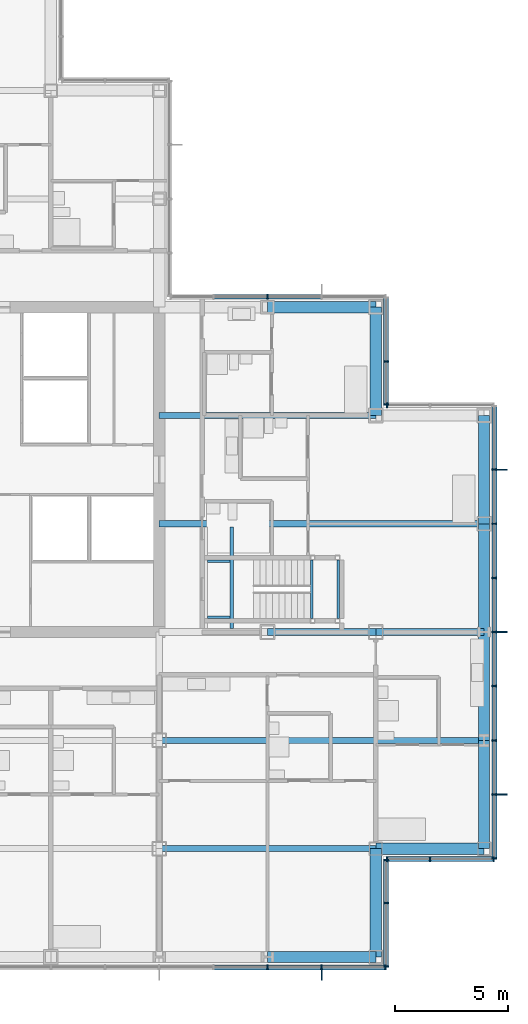
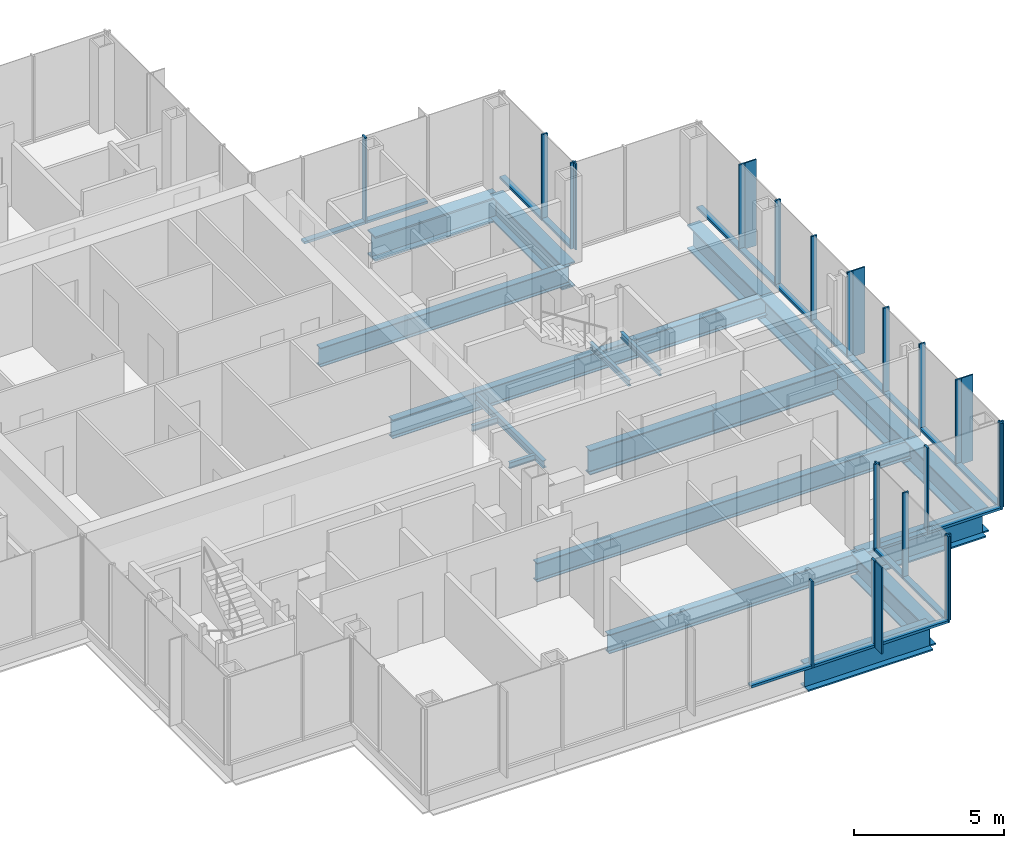
# One storey, part 8 of 20: 44 members, 20 beams, 7 elements without a shape of their own.
"""IFC4 building model written with IfcOpenShell, lengths in metres."""

from ifc_helpers import new_model, si_unit, direction, frame, origin, origin_2d, place, context, subcontext, project, spatial, rectangle, i_section, extrude, material, material_profile, profile_set, type_object, element, aggregate, save


model = new_model("IFC4")

# Units and contexts
model_context = context("Model", 3, precision=1e-05, world=origin(), true_north=direction((0.0, 1.0)))
body_context = subcontext(model_context, "Body", "Model", "MODEL_VIEW")
ifc_project = project(units=[si_unit("LENGTHUNIT", "METRE"), si_unit("AREAUNIT", "SQUARE_METRE"), si_unit("VOLUMEUNIT", "CUBIC_METRE"), si_unit("PLANEANGLEUNIT", "RADIAN"), si_unit("MASSUNIT", "GRAM", prefix="KILO")], contexts=[model_context])

# Site, building, storey
site_placement = place(None, origin())
site = spatial("IfcSite", under=ifc_project, at=site_placement, CompositionType="ELEMENT")
building_placement = place(site_placement, origin())
building = spatial("IfcBuilding", under=site, at=building_placement, Name="Kvirike Care Tower", CompositionType="ELEMENT")
storey_placement = place(building_placement, frame((0.0, 0.0, 101.5)))
storey = spatial("IfcBuildingStorey", under=building, at=storey_placement, Name="L27", CompositionType="ELEMENT", Elevation=101.5)

# Curtain wall, members
ifc_material_1 = material(Name="Anodised aluminium stick system", Category="aluminium")
curtain_wall_type = type_object("IfcCurtainWallType", Name="CW-B STICK CURTAIN WALL", PredefinedType="NOTDEFINED", material=ifc_material_1)
curtain_wall_1_placement = place(storey_placement, origin())
curtain_wall_1 = element("IfcCurtainWall", 1, at=curtain_wall_1_placement, inside=storey, type_object=curtain_wall_type, Name="Curtain wall L27 face 1", PredefinedType="NOTDEFINED")
ifc_material_2 = material(Name="Bronze anodised aluminium fin", Category="aluminium")
ifc_material_profile_1 = material_profile(ifc_material_2, rectangle(XDim=0.050048828125, YDim=0.449951171875, at=origin_2d()), Name="BRONZE FIN 450")
ifc_profile_set_1 = profile_set([ifc_material_profile_1], Name="Bronze anodised aluminium fin")
member_type_1 = type_object("IfcMemberType", Name="BRONZE FIN 450", PredefinedType="USERDEFINED", material=ifc_profile_set_1)
member_1_placement = place(storey_placement, frame((43.9951171875, 21.60009765625, 0.0), z_axis=(0.0, 0.0, 1.0), x_axis=(0.0, 1.0, 0.0)))
member_1 = element("IfcMember", 2, at=member_1_placement, type_object=member_type_1, Name="Bronze fin L27 face 1.2", ObjectType="FIN", PredefinedType="USERDEFINED", context=body_context, shape_type="SweptSolid", body=[
    extrude(rectangle(XDim=0.050048828125, YDim=0.449951171875, at=origin_2d()), origin(), (0.0, 0.0, 1.0), 3.5),
])
member_2_placement = place(storey_placement, frame((43.9951171875, 28.800048828125, 0.0), z_axis=(0.0, 0.0, 1.0), x_axis=(0.0, 1.0, 0.0)))
member_2 = element("IfcMember", 3, at=member_2_placement, type_object=member_type_1, Name="Bronze fin L27 face 1.5", ObjectType="FIN", PredefinedType="USERDEFINED", context=body_context, shape_type="SweptSolid", body=[
    extrude(rectangle(XDim=0.050048828125, YDim=0.449951171875, at=origin_2d()), origin(), (0.0, 0.0, 1.0), 3.5),
])
member_3_placement = place(storey_placement, frame((43.9951171875, 36.0, 0.0), z_axis=(0.0, 0.0, 1.0), x_axis=(0.0, 1.0, 0.0)))
member_3 = element("IfcMember", 4, at=member_3_placement, type_object=member_type_1, Name="Bronze fin L27 face 1.8", ObjectType="FIN", PredefinedType="USERDEFINED", context=body_context, shape_type="SweptSolid", body=[
    extrude(rectangle(XDim=0.050048828125, YDim=0.449951171875, at=origin_2d()), origin(), (0.0, 0.0, 1.0), 3.5),
])

# Curtain wall, member
curtain_wall_2_placement = place(storey_placement, origin())
curtain_wall_2 = element("IfcCurtainWall", 5, at=curtain_wall_2_placement, inside=storey, type_object=curtain_wall_type, Name="Curtain wall L27 face 18", PredefinedType="NOTDEFINED")
member_4_placement = place(storey_placement, frame((36.0, 13.60498046875, 0.0), z_axis=(0.0, 0.0, 1.0), x_axis=(1.0, 0.0, 0.0)))
member_4 = element("IfcMember", 6, at=member_4_placement, type_object=member_type_1, Name="Bronze fin L27 face 18.8", ObjectType="FIN", PredefinedType="USERDEFINED", context=body_context, shape_type="SweptSolid", body=[
    extrude(rectangle(XDim=0.050048828125, YDim=0.449951171875, at=origin_2d()), origin(), (0.0, 0.0, 1.0), 3.5),
])

# Member
ifc_material_3 = material(Name="Bronze anodised aluminium mullion", Category="aluminium")
ifc_material_profile_2 = material_profile(ifc_material_3, rectangle(XDim=0.06494140625, YDim=0.219970703125, at=origin_2d()), Name="CW-B MULLION 65x220")
ifc_profile_set_2 = profile_set([ifc_material_profile_2], Name="Bronze anodised aluminium mullion")
member_type_2 = type_object("IfcMemberType", Name="CW-B MULLION 65x220", PredefinedType="MULLION", material=ifc_profile_set_2)
member_5_placement = place(storey_placement, frame((43.659912109375, 18.7724609375, 0.0), z_axis=(0.0, 0.0, 1.0), x_axis=(0.0, 1.0, 0.0)))
member_5 = element("IfcMember", 7, at=member_5_placement, type_object=member_type_2, Name="CW-B mullion L27 face 1.1", PredefinedType="MULLION", context=body_context, shape_type="SweptSolid", body=[
    extrude(rectangle(XDim=0.06494140625, YDim=0.219970703125, at=origin_2d()), origin(), (0.0, 0.0, 1.0), 3.5),
])

member_6_placement = place(storey_placement, frame((43.659912109375, 21.60009765625, 0.0), z_axis=(0.0, 0.0, 1.0), x_axis=(0.0, 1.0, 0.0)))
member_6 = element("IfcMember", 8, at=member_6_placement, type_object=member_type_2, Name="CW-B mullion L27 face 1.2", PredefinedType="MULLION", context=body_context, shape_type="SweptSolid", body=[
    extrude(rectangle(XDim=0.06494140625, YDim=0.219970703125, at=origin_2d()), origin(), (0.0, 0.0, 1.0), 3.5),
])

member_7_placement = place(storey_placement, frame((43.659912109375, 24.0, 0.0), z_axis=(0.0, 0.0, 1.0), x_axis=(0.0, 1.0, 0.0)))
member_7 = element("IfcMember", 9, at=member_7_placement, type_object=member_type_2, Name="CW-B mullion L27 face 1.3", PredefinedType="MULLION", context=body_context, shape_type="SweptSolid", body=[
    extrude(rectangle(XDim=0.06494140625, YDim=0.219970703125, at=origin_2d()), origin(), (0.0, 0.0, 1.0), 3.5),
])

member_8_placement = place(storey_placement, frame((43.659912109375, 26.39990234375, 0.0), z_axis=(0.0, 0.0, 1.0), x_axis=(0.0, 1.0, 0.0)))
member_8 = element("IfcMember", 10, at=member_8_placement, type_object=member_type_2, Name="CW-B mullion L27 face 1.4", PredefinedType="MULLION", context=body_context, shape_type="SweptSolid", body=[
    extrude(rectangle(XDim=0.06494140625, YDim=0.219970703125, at=origin_2d()), origin(), (0.0, 0.0, 1.0), 3.5),
])

member_9_placement = place(storey_placement, frame((43.659912109375, 28.800048828125, 0.0), z_axis=(0.0, 0.0, 1.0), x_axis=(0.0, 1.0, 0.0)))
member_9 = element("IfcMember", 11, at=member_9_placement, type_object=member_type_2, Name="CW-B mullion L27 face 1.5", PredefinedType="MULLION", context=body_context, shape_type="SweptSolid", body=[
    extrude(rectangle(XDim=0.06494140625, YDim=0.219970703125, at=origin_2d()), origin(), (0.0, 0.0, 1.0), 3.5),
])

member_10_placement = place(storey_placement, frame((43.659912109375, 31.199951171875, 0.0), z_axis=(0.0, 0.0, 1.0), x_axis=(0.0, 1.0, 0.0)))
member_10 = element("IfcMember", 12, at=member_10_placement, type_object=member_type_2, Name="CW-B mullion L27 face 1.6", PredefinedType="MULLION", context=body_context, shape_type="SweptSolid", body=[
    extrude(rectangle(XDim=0.06494140625, YDim=0.219970703125, at=origin_2d()), origin(), (0.0, 0.0, 1.0), 3.5),
])

member_11_placement = place(storey_placement, frame((43.659912109375, 33.60009765625, 0.0), z_axis=(0.0, 0.0, 1.0), x_axis=(0.0, 1.0, 0.0)))
member_11 = element("IfcMember", 13, at=member_11_placement, type_object=member_type_2, Name="CW-B mullion L27 face 1.7", PredefinedType="MULLION", context=body_context, shape_type="SweptSolid", body=[
    extrude(rectangle(XDim=0.06494140625, YDim=0.219970703125, at=origin_2d()), origin(), (0.0, 0.0, 1.0), 3.5),
])

member_12_placement = place(storey_placement, frame((43.659912109375, 36.0, 0.0), z_axis=(0.0, 0.0, 1.0), x_axis=(0.0, 1.0, 0.0)))
member_12 = element("IfcMember", 14, at=member_12_placement, type_object=member_type_2, Name="CW-B mullion L27 face 1.8", PredefinedType="MULLION", context=body_context, shape_type="SweptSolid", body=[
    extrude(rectangle(XDim=0.06494140625, YDim=0.219970703125, at=origin_2d()), origin(), (0.0, 0.0, 1.0), 3.5),
])

# Curtain wall, member
curtain_wall_3_placement = place(storey_placement, origin())
curtain_wall_3 = element("IfcCurtainWall", 15, at=curtain_wall_3_placement, inside=storey, type_object=curtain_wall_type, Name="Curtain wall L27 face 2", PredefinedType="NOTDEFINED")
member_13_placement = place(storey_placement, frame((38.892578125, 38.860107421875, 0.0), z_axis=(0.0, 0.0, 1.0), x_axis=(-1.0, 0.0, 0.0)))
member_13 = element("IfcMember", 16, at=member_13_placement, type_object=member_type_2, Name="CW-B mullion L27 face 2.3", PredefinedType="MULLION", context=body_context, shape_type="SweptSolid", body=[
    extrude(rectangle(XDim=0.06494140625, YDim=0.219970703125, at=origin_2d()), origin(), (0.0, 0.0, 1.0), 3.5),
])
aggregate(curtain_wall_3, [member_13])

# Curtain wall, members
curtain_wall_4_placement = place(storey_placement, origin())
curtain_wall_4 = element("IfcCurtainWall", 17, at=curtain_wall_4_placement, inside=storey, type_object=curtain_wall_type, Name="Curtain wall L27 face 3", PredefinedType="NOTDEFINED")
member_14_placement = place(storey_placement, frame((38.860107421875, 38.892578125, 0.0), z_axis=(0.0, 0.0, 1.0), x_axis=(0.0, 1.0, 0.0)))
member_14 = element("IfcMember", 18, at=member_14_placement, type_object=member_type_2, Name="CW-B mullion L27 face 3.1", PredefinedType="MULLION", context=body_context, shape_type="SweptSolid", body=[
    extrude(rectangle(XDim=0.06494140625, YDim=0.219970703125, at=origin_2d()), origin(), (0.0, 0.0, 1.0), 3.5),
])
member_15_placement = place(storey_placement, frame((38.860107421875, 40.800048828125, 0.0), z_axis=(0.0, 0.0, 1.0), x_axis=(0.0, 1.0, 0.0)))
member_15 = element("IfcMember", 19, at=member_15_placement, type_object=member_type_2, Name="CW-B mullion L27 face 3.2", PredefinedType="MULLION", context=body_context, shape_type="SweptSolid", body=[
    extrude(rectangle(XDim=0.06494140625, YDim=0.219970703125, at=origin_2d()), origin(), (0.0, 0.0, 1.0), 3.5),
])

# Curtain wall, member
curtain_wall_5_placement = place(storey_placement, origin())
curtain_wall_5 = element("IfcCurtainWall", 20, at=curtain_wall_5_placement, inside=storey, type_object=curtain_wall_type, Name="Curtain wall L27 face 4", PredefinedType="NOTDEFINED")
member_16_placement = place(storey_placement, frame((33.60009765625, 43.659912109375, 0.0), z_axis=(0.0, 0.0, 1.0), x_axis=(-1.0, 0.0, 0.0)))
member_16 = element("IfcMember", 21, at=member_16_placement, type_object=member_type_2, Name="CW-B mullion L27 face 4.3", PredefinedType="MULLION", context=body_context, shape_type="SweptSolid", body=[
    extrude(rectangle(XDim=0.06494140625, YDim=0.219970703125, at=origin_2d()), origin(), (0.0, 0.0, 1.0), 3.5),
])

# Member
member_17_placement = place(storey_placement, frame((33.60009765625, 13.93994140625, 0.0), z_axis=(0.0, 0.0, 1.0), x_axis=(1.0, 0.0, 0.0)))
member_17 = element("IfcMember", 22, at=member_17_placement, type_object=member_type_2, Name="CW-B mullion L27 face 18.7", PredefinedType="MULLION", context=body_context, shape_type="SweptSolid", body=[
    extrude(rectangle(XDim=0.06494140625, YDim=0.219970703125, at=origin_2d()), origin(), (0.0, 0.0, 1.0), 3.5),
])

member_18_placement = place(storey_placement, frame((36.0, 13.93994140625, 0.0), z_axis=(0.0, 0.0, 1.0), x_axis=(1.0, 0.0, 0.0)))
member_18 = element("IfcMember", 23, at=member_18_placement, type_object=member_type_2, Name="CW-B mullion L27 face 18.8", PredefinedType="MULLION", context=body_context, shape_type="SweptSolid", body=[
    extrude(rectangle(XDim=0.06494140625, YDim=0.219970703125, at=origin_2d()), origin(), (0.0, 0.0, 1.0), 3.5),
])

member_19_placement = place(storey_placement, frame((38.827392578125, 13.93994140625, 0.0), z_axis=(0.0, 0.0, 1.0), x_axis=(1.0, 0.0, 0.0)))
member_19 = element("IfcMember", 24, at=member_19_placement, type_object=member_type_2, Name="CW-B mullion L27 face 18.9", PredefinedType="MULLION", context=body_context, shape_type="SweptSolid", body=[
    extrude(rectangle(XDim=0.06494140625, YDim=0.219970703125, at=origin_2d()), origin(), (0.0, 0.0, 1.0), 3.5),
])

# Curtain wall, members
curtain_wall_6_placement = place(storey_placement, origin())
curtain_wall_6 = element("IfcCurtainWall", 25, at=curtain_wall_6_placement, inside=storey, type_object=curtain_wall_type, Name="Curtain wall L27 face 19", PredefinedType="NOTDEFINED")
member_20_placement = place(storey_placement, frame((38.860107421875, 13.972412109375, 0.0), z_axis=(0.0, 0.0, 1.0), x_axis=(0.0, 1.0, 0.0)))
member_20 = element("IfcMember", 26, at=member_20_placement, type_object=member_type_2, Name="CW-B mullion L27 face 19.1", PredefinedType="MULLION", context=body_context, shape_type="SweptSolid", body=[
    extrude(rectangle(XDim=0.06494140625, YDim=0.219970703125, at=origin_2d()), origin(), (0.0, 0.0, 1.0), 3.5),
])
member_21_placement = place(storey_placement, frame((38.860107421875, 16.800048828125, 0.0), z_axis=(0.0, 0.0, 1.0), x_axis=(0.0, 1.0, 0.0)))
member_21 = element("IfcMember", 27, at=member_21_placement, type_object=member_type_2, Name="CW-B mullion L27 face 19.2", PredefinedType="MULLION", context=body_context, shape_type="SweptSolid", body=[
    extrude(rectangle(XDim=0.06494140625, YDim=0.219970703125, at=origin_2d()), origin(), (0.0, 0.0, 1.0), 3.5),
])
member_22_placement = place(storey_placement, frame((38.860107421875, 18.70751953125, 0.0), z_axis=(0.0, 0.0, 1.0), x_axis=(0.0, 1.0, 0.0)))
member_22 = element("IfcMember", 28, at=member_22_placement, type_object=member_type_2, Name="CW-B mullion L27 face 19.3", PredefinedType="MULLION", context=body_context, shape_type="SweptSolid", body=[
    extrude(rectangle(XDim=0.06494140625, YDim=0.219970703125, at=origin_2d()), origin(), (0.0, 0.0, 1.0), 3.5),
])

curtain_wall_7_placement = place(storey_placement, origin())
curtain_wall_7 = element("IfcCurtainWall", 29, at=curtain_wall_7_placement, inside=storey, type_object=curtain_wall_type, Name="Curtain wall L27 face 20", PredefinedType="NOTDEFINED")
member_23_placement = place(storey_placement, frame((38.892578125, 18.739990234375, 0.0), z_axis=(0.0, 0.0, 1.0), x_axis=(1.0, 0.0, 0.0)))
member_23 = element("IfcMember", 30, at=member_23_placement, type_object=member_type_2, Name="CW-B mullion L27 face 20.1", PredefinedType="MULLION", context=body_context, shape_type="SweptSolid", body=[
    extrude(rectangle(XDim=0.06494140625, YDim=0.219970703125, at=origin_2d()), origin(), (0.0, 0.0, 1.0), 3.5),
])
member_24_placement = place(storey_placement, frame((40.800048828125, 18.739990234375, 0.0), z_axis=(0.0, 0.0, 1.0), x_axis=(1.0, 0.0, 0.0)))
member_24 = element("IfcMember", 31, at=member_24_placement, type_object=member_type_2, Name="CW-B mullion L27 face 20.2", PredefinedType="MULLION", context=body_context, shape_type="SweptSolid", body=[
    extrude(rectangle(XDim=0.06494140625, YDim=0.219970703125, at=origin_2d()), origin(), (0.0, 0.0, 1.0), 3.5),
])
member_25_placement = place(storey_placement, frame((43.62744140625, 18.739990234375, 0.0), z_axis=(0.0, 0.0, 1.0), x_axis=(1.0, 0.0, 0.0)))
member_25 = element("IfcMember", 32, at=member_25_placement, type_object=member_type_2, Name="CW-B mullion L27 face 20.3", PredefinedType="MULLION", context=body_context, shape_type="SweptSolid", body=[
    extrude(rectangle(XDim=0.06494140625, YDim=0.219970703125, at=origin_2d()), origin(), (0.0, 0.0, 1.0), 3.5),
])

# Member
ifc_material_4 = material(Name="Bronze anodised aluminium transom", Category="aluminium")
ifc_material_profile_3 = material_profile(ifc_material_4, rectangle(XDim=0.219970703125, YDim=0.10009765625, at=origin_2d()), Name="CW-B TRANSOM 220x100")
ifc_profile_set_3 = profile_set([ifc_material_profile_3], Name="Bronze anodised aluminium transom")
member_type_3 = type_object("IfcMemberType", Name="CW-B TRANSOM 220x100", PredefinedType="USERDEFINED", material=ifc_profile_set_3)
member_26_placement = place(storey_placement, frame((43.659912109375, 18.804931640625, 0.050048828125), z_axis=(0.0, 1.0, 0.0), x_axis=(-1.0, 0.0, 0.0)))
member_26 = element("IfcMember", 33, at=member_26_placement, type_object=member_type_3, Name="CW-B sill transom L27 face 1.1", ObjectType="TRANSOM", PredefinedType="USERDEFINED", context=body_context, shape_type="SweptSolid", body=[
    extrude(rectangle(XDim=0.219970703125, YDim=0.10009765625, at=origin_2d()), origin(), (0.0, 0.0, 1.0), 2.762451171875),
])

member_27_placement = place(storey_placement, frame((43.659912109375, 21.632568359375, 0.050048828125), z_axis=(0.0, 1.0, 0.0), x_axis=(-1.0, 0.0, 0.0)))
member_27 = element("IfcMember", 34, at=member_27_placement, type_object=member_type_3, Name="CW-B sill transom L27 face 1.2", ObjectType="TRANSOM", PredefinedType="USERDEFINED", context=body_context, shape_type="SweptSolid", body=[
    extrude(rectangle(XDim=0.219970703125, YDim=0.10009765625, at=origin_2d()), origin(), (0.0, 0.0, 1.0), 2.3349609375),
])

member_28_placement = place(storey_placement, frame((43.659912109375, 24.032470703125, 0.050048828125), z_axis=(0.0, 1.0, 0.0), x_axis=(-1.0, 0.0, 0.0)))
member_28 = element("IfcMember", 35, at=member_28_placement, type_object=member_type_3, Name="CW-B sill transom L27 face 1.3", ObjectType="TRANSOM", PredefinedType="USERDEFINED", context=body_context, shape_type="SweptSolid", body=[
    extrude(rectangle(XDim=0.219970703125, YDim=0.10009765625, at=origin_2d()), origin(), (0.0, 0.0, 1.0), 2.3349609375),
])

member_29_placement = place(storey_placement, frame((43.659912109375, 26.4326171875, 0.050048828125), z_axis=(0.0, 1.0, 0.0), x_axis=(-1.0, 0.0, 0.0)))
member_29 = element("IfcMember", 36, at=member_29_placement, type_object=member_type_3, Name="CW-B sill transom L27 face 1.4", ObjectType="TRANSOM", PredefinedType="USERDEFINED", context=body_context, shape_type="SweptSolid", body=[
    extrude(rectangle(XDim=0.219970703125, YDim=0.10009765625, at=origin_2d()), origin(), (0.0, 0.0, 1.0), 2.3349609375),
])

member_30_placement = place(storey_placement, frame((43.659912109375, 28.83251953125, 0.050048828125), z_axis=(0.0, 1.0, 0.0), x_axis=(-1.0, 0.0, 0.0)))
member_30 = element("IfcMember", 37, at=member_30_placement, type_object=member_type_3, Name="CW-B sill transom L27 face 1.5", ObjectType="TRANSOM", PredefinedType="USERDEFINED", context=body_context, shape_type="SweptSolid", body=[
    extrude(rectangle(XDim=0.219970703125, YDim=0.10009765625, at=origin_2d()), origin(), (0.0, 0.0, 1.0), 2.3349609375),
])

member_31_placement = place(storey_placement, frame((43.659912109375, 31.232421875, 0.050048828125), z_axis=(0.0, 1.0, 0.0), x_axis=(-1.0, 0.0, 0.0)))
member_31 = element("IfcMember", 38, at=member_31_placement, type_object=member_type_3, Name="CW-B sill transom L27 face 1.6", ObjectType="TRANSOM", PredefinedType="USERDEFINED", context=body_context, shape_type="SweptSolid", body=[
    extrude(rectangle(XDim=0.219970703125, YDim=0.10009765625, at=origin_2d()), origin(), (0.0, 0.0, 1.0), 2.3349609375),
])

member_32_placement = place(storey_placement, frame((43.659912109375, 33.632568359375, 0.050048828125), z_axis=(0.0, 1.0, 0.0), x_axis=(-1.0, 0.0, 0.0)))
member_32 = element("IfcMember", 39, at=member_32_placement, type_object=member_type_3, Name="CW-B sill transom L27 face 1.7", ObjectType="TRANSOM", PredefinedType="USERDEFINED", context=body_context, shape_type="SweptSolid", body=[
    extrude(rectangle(XDim=0.219970703125, YDim=0.10009765625, at=origin_2d()), origin(), (0.0, 0.0, 1.0), 2.3349609375),
])

member_33_placement = place(storey_placement, frame((43.659912109375, 36.032470703125, 0.050048828125), z_axis=(0.0, 1.0, 0.0), x_axis=(-1.0, 0.0, 0.0)))
member_33 = element("IfcMember", 40, at=member_33_placement, type_object=member_type_3, Name="CW-B sill transom L27 face 1.8", ObjectType="TRANSOM", PredefinedType="USERDEFINED", context=body_context, shape_type="SweptSolid", body=[
    extrude(rectangle(XDim=0.219970703125, YDim=0.10009765625, at=origin_2d()), origin(), (0.0, 0.0, 1.0), 2.762451171875),
])

aggregate(curtain_wall_1, [member_5, member_6, member_1, member_7, member_8, member_9, member_2, member_10, member_11, member_12, member_3, member_26, member_27, member_28, member_29, member_30, member_31, member_32, member_33])

member_34_placement = place(storey_placement, frame((38.860107421875, 38.925048828125, 0.050048828125), z_axis=(0.0, 1.0, 0.0), x_axis=(-1.0, 0.0, 0.0)))
member_34 = element("IfcMember", 41, at=member_34_placement, type_object=member_type_3, Name="CW-B sill transom L27 face 3.1", ObjectType="TRANSOM", PredefinedType="USERDEFINED", context=body_context, shape_type="SweptSolid", body=[
    extrude(rectangle(XDim=0.219970703125, YDim=0.10009765625, at=origin_2d()), origin(), (0.0, 0.0, 1.0), 1.842529296875),
])

member_35_placement = place(storey_placement, frame((38.860107421875, 40.83251953125, 0.050048828125), z_axis=(0.0, 1.0, 0.0), x_axis=(-1.0, 0.0, 0.0)))
member_35 = element("IfcMember", 42, at=member_35_placement, type_object=member_type_3, Name="CW-B sill transom L27 face 3.2", ObjectType="TRANSOM", PredefinedType="USERDEFINED", context=body_context, shape_type="SweptSolid", body=[
    extrude(rectangle(XDim=0.219970703125, YDim=0.10009765625, at=origin_2d()), origin(), (0.0, 0.0, 1.0), 2.762451171875),
])

aggregate(curtain_wall_4, [member_14, member_15, member_34, member_35])

member_36_placement = place(storey_placement, frame((35.967529296875, 43.659912109375, 0.050048828125), z_axis=(-1.0, 0.0, 0.0), x_axis=(0.0, -1.0, 0.0)))
member_36 = element("IfcMember", 43, at=member_36_placement, type_object=member_type_3, Name="CW-B sill transom L27 face 4.2", ObjectType="TRANSOM", PredefinedType="USERDEFINED", context=body_context, shape_type="SweptSolid", body=[
    extrude(rectangle(XDim=0.219970703125, YDim=0.10009765625, at=origin_2d()), origin(), (0.0, 0.0, 1.0), 2.3349609375),
])

member_37_placement = place(storey_placement, frame((33.5673828125, 43.659912109375, 0.050048828125), z_axis=(-1.0, 0.0, 0.0), x_axis=(0.0, -1.0, 0.0)))
member_37 = element("IfcMember", 44, at=member_37_placement, type_object=member_type_3, Name="CW-B sill transom L27 face 4.3", ObjectType="TRANSOM", PredefinedType="USERDEFINED", context=body_context, shape_type="SweptSolid", body=[
    extrude(rectangle(XDim=0.219970703125, YDim=0.10009765625, at=origin_2d()), origin(), (0.0, 0.0, 1.0), 2.3349609375),
])

aggregate(curtain_wall_5, [member_16, member_36, member_37])

member_38_placement = place(storey_placement, frame((31.232421875, 13.93994140625, 0.050048828125), z_axis=(1.0, 0.0, 0.0), x_axis=(0.0, 1.0, 0.0)))
member_38 = element("IfcMember", 45, at=member_38_placement, type_object=member_type_3, Name="CW-B sill transom L27 face 18.6", ObjectType="TRANSOM", PredefinedType="USERDEFINED", context=body_context, shape_type="SweptSolid", body=[
    extrude(rectangle(XDim=0.219970703125, YDim=0.10009765625, at=origin_2d()), origin(), (0.0, 0.0, 1.0), 2.3349609375),
])

member_39_placement = place(storey_placement, frame((33.632568359375, 13.93994140625, 0.050048828125), z_axis=(1.0, 0.0, 0.0), x_axis=(0.0, 1.0, 0.0)))
member_39 = element("IfcMember", 46, at=member_39_placement, type_object=member_type_3, Name="CW-B sill transom L27 face 18.7", ObjectType="TRANSOM", PredefinedType="USERDEFINED", context=body_context, shape_type="SweptSolid", body=[
    extrude(rectangle(XDim=0.219970703125, YDim=0.10009765625, at=origin_2d()), origin(), (0.0, 0.0, 1.0), 2.3349609375),
])

member_40_placement = place(storey_placement, frame((36.032470703125, 13.93994140625, 0.050048828125), z_axis=(1.0, 0.0, 0.0), x_axis=(0.0, 1.0, 0.0)))
member_40 = element("IfcMember", 47, at=member_40_placement, type_object=member_type_3, Name="CW-B sill transom L27 face 18.8", ObjectType="TRANSOM", PredefinedType="USERDEFINED", context=body_context, shape_type="SweptSolid", body=[
    extrude(rectangle(XDim=0.219970703125, YDim=0.10009765625, at=origin_2d()), origin(), (0.0, 0.0, 1.0), 2.762451171875),
])

aggregate(curtain_wall_2, [member_17, member_18, member_4, member_19, member_38, member_39, member_40])

member_41_placement = place(storey_placement, frame((38.860107421875, 14.0048828125, 0.050048828125), z_axis=(0.0, 1.0, 0.0), x_axis=(-1.0, 0.0, 0.0)))
member_41 = element("IfcMember", 48, at=member_41_placement, type_object=member_type_3, Name="CW-B sill transom L27 face 19.1", ObjectType="TRANSOM", PredefinedType="USERDEFINED", context=body_context, shape_type="SweptSolid", body=[
    extrude(rectangle(XDim=0.219970703125, YDim=0.10009765625, at=origin_2d()), origin(), (0.0, 0.0, 1.0), 2.7626953125),
])

member_42_placement = place(storey_placement, frame((38.860107421875, 16.83251953125, 0.050048828125), z_axis=(0.0, 1.0, 0.0), x_axis=(-1.0, 0.0, 0.0)))
member_42 = element("IfcMember", 49, at=member_42_placement, type_object=member_type_3, Name="CW-B sill transom L27 face 19.2", ObjectType="TRANSOM", PredefinedType="USERDEFINED", context=body_context, shape_type="SweptSolid", body=[
    extrude(rectangle(XDim=0.219970703125, YDim=0.10009765625, at=origin_2d()), origin(), (0.0, 0.0, 1.0), 1.842529296875),
])

aggregate(curtain_wall_6, [member_20, member_21, member_22, member_41, member_42])

member_43_placement = place(storey_placement, frame((38.925048828125, 18.739990234375, 0.050048828125), z_axis=(1.0, 0.0, 0.0), x_axis=(0.0, 1.0, 0.0)))
member_43 = element("IfcMember", 50, at=member_43_placement, type_object=member_type_3, Name="CW-B sill transom L27 face 20.1", ObjectType="TRANSOM", PredefinedType="USERDEFINED", context=body_context, shape_type="SweptSolid", body=[
    extrude(rectangle(XDim=0.219970703125, YDim=0.10009765625, at=origin_2d()), origin(), (0.0, 0.0, 1.0), 1.842529296875),
])

member_44_placement = place(storey_placement, frame((40.83251953125, 18.739990234375, 0.050048828125), z_axis=(1.0, 0.0, 0.0), x_axis=(0.0, 1.0, 0.0)))
member_44 = element("IfcMember", 51, at=member_44_placement, type_object=member_type_3, Name="CW-B sill transom L27 face 20.2", ObjectType="TRANSOM", PredefinedType="USERDEFINED", context=body_context, shape_type="SweptSolid", body=[
    extrude(rectangle(XDim=0.219970703125, YDim=0.10009765625, at=origin_2d()), origin(), (0.0, 0.0, 1.0), 2.762451171875),
])

aggregate(curtain_wall_7, [member_23, member_24, member_25, member_43, member_44])

# Beams
ifc_material_5 = material(Name="Steel S355", Category="steel")
ifc_material_profile_4 = material_profile(ifc_material_5, i_section(OverallWidth=0.26806640625, OverallDepth=0.77001953125, WebThickness=0.015625, FlangeThickness=0.025390625, FilletRadius=0.01708984375, at=origin_2d()), Name="IPE 750x196")
ifc_profile_set_4 = profile_set([ifc_material_profile_4], Name="Steel S355")
beam_type_1 = type_object("IfcBeamType", Name="FLOOR BEAM IPE 750x196", PredefinedType="BEAM", material=ifc_profile_set_4)
beam_1_placement = place(storey_placement, frame((28.800048828125, 19.199951171875, -0.554931640625), z_axis=(1.0, 0.0, 0.0), x_axis=(0.0, 1.0, 0.0)))
element("IfcBeam", 52, at=beam_1_placement, inside=storey, type_object=beam_type_1, Name="Floor Beam E9-E11 L27", PredefinedType="BEAM", context=body_context, shape_type="SweptSolid", body=[
    extrude(i_section(OverallWidth=0.26806640625, OverallDepth=0.77001953125, WebThickness=0.015625, FlangeThickness=0.025390625, FilletRadius=0.01708984375, at=origin_2d()), origin(), (0.0, 0.0, 1.0), 9.599853515625),
])
for number, where, z_axis, x_axis, name in (
    (53, (28.800048828125, 24.0, -0.554931640625), (1.0, 0.0, 0.0), (0.0, 1.0, 0.0), "Floor Beam F9-F12 L27"),
    (54, (28.800048828125, 33.60009765625, -0.554931640625), (1.0, 0.0, 0.0), (0.0, 1.0, 0.0), "Floor Beam H9-H12 L27"),
):
    element("IfcBeam", number, at=place(storey_placement, frame(where, z_axis=z_axis, x_axis=x_axis)), inside=storey, type_object=beam_type_1, Name=name, PredefinedType="BEAM", context=body_context, shape_type="SweptSolid", body=[
        extrude(i_section(OverallWidth=0.26806640625, OverallDepth=0.77001953125, WebThickness=0.015625, FlangeThickness=0.025390625, FilletRadius=0.01708984375, at=origin_2d()), origin(), (0.0, 0.0, 1.0), 14.39990234375),
    ])
beam_2_placement = place(storey_placement, frame((28.800048828125, 38.39990234375, -0.554931640625), z_axis=(1.0, 0.0, 0.0), x_axis=(0.0, 1.0, 0.0)))
element("IfcBeam", 55, at=beam_2_placement, inside=storey, type_object=beam_type_1, Name="Floor Beam J9-J11 L27", PredefinedType="BEAM", context=body_context, shape_type="SweptSolid", body=[
    extrude(i_section(OverallWidth=0.26806640625, OverallDepth=0.77001953125, WebThickness=0.015625, FlangeThickness=0.025390625, FilletRadius=0.01708984375, at=origin_2d()), origin(), (0.0, 0.0, 1.0), 9.599853515625),
])
ifc_material_6 = material(Name="Steel S355", Category="steel")
ifc_material_profile_5 = material_profile(ifc_material_6, i_section(OverallWidth=0.300048828125, OverallDepth=1.0, WebThickness=0.01904296875, FlangeThickness=0.035888671875, FilletRadius=0.030029296875, at=origin_2d()), Name="HE 1000 B")
ifc_profile_set_5 = profile_set([ifc_material_profile_5], Name="Steel S355")
beam_type_2 = type_object("IfcBeamType", Name="FRAME BEAM HE 1000 B", PredefinedType="BEAM", material=ifc_profile_set_5)
beam_3_placement = place(storey_placement, frame((33.60009765625, 28.800048828125, -0.669921875), z_axis=(1.0, 0.0, 0.0), x_axis=(0.0, 1.0, 0.0)))
element("IfcBeam", 56, at=beam_3_placement, inside=storey, type_object=beam_type_2, Name="Frame Beam G10-G11 L27", PredefinedType="BEAM", context=body_context, shape_type="SweptSolid", body=[
    extrude(i_section(OverallWidth=0.300048828125, OverallDepth=1.0, WebThickness=0.01904296875, FlangeThickness=0.035888671875, FilletRadius=0.030029296875, at=origin_2d()), origin(), (0.0, 0.0, 1.0), 4.7998046875),
])
beam_4_placement = place(storey_placement, frame((38.39990234375, 28.800048828125, -0.669921875), z_axis=(1.0, 0.0, 0.0), x_axis=(0.0, 1.0, 0.0)))
element("IfcBeam", 57, at=beam_4_placement, inside=storey, type_object=beam_type_2, Name="Frame Beam G11-G12 L27", PredefinedType="BEAM", context=body_context, shape_type="SweptSolid", body=[
    extrude(i_section(OverallWidth=0.300048828125, OverallDepth=1.0, WebThickness=0.01904296875, FlangeThickness=0.035888671875, FilletRadius=0.030029296875, at=origin_2d()), origin(), (0.0, 0.0, 1.0), 4.800048828125),
])
ifc_material_7 = material(Name="Steel S355", Category="steel")
ifc_material_profile_6 = material_profile(ifc_material_7, i_section(OverallWidth=0.5, OverallDepth=1.0, WebThickness=0.030029296875, FlangeThickness=0.06005859375, at=origin_2d()), Name="PG 1000x500x30x60")
ifc_profile_set_6 = profile_set([ifc_material_profile_6], Name="Steel S355")
beam_type_3 = type_object("IfcBeamType", Name="SPANDREL PG 1000x500x30x60", PredefinedType="SPANDREL", material=ifc_profile_set_6)
beam_5_placement = place(storey_placement, frame((33.60009765625, 14.39990234375, -0.669921875), z_axis=(1.0, 0.0, 0.0), x_axis=(0.0, 1.0, 0.0)))
element("IfcBeam", 58, at=beam_5_placement, inside=storey, type_object=beam_type_3, Name="Spandrel D10-D11 L27", PredefinedType="SPANDREL", context=body_context, shape_type="SweptSolid", body=[
    extrude(i_section(OverallWidth=0.5, OverallDepth=1.0, WebThickness=0.030029296875, FlangeThickness=0.06005859375, at=origin_2d()), origin(), (0.0, 0.0, 1.0), 4.7998046875),
])
beam_6_placement = place(storey_placement, frame((38.39990234375, 19.199951171875, -0.669921875), z_axis=(1.0, 0.0, 0.0), x_axis=(0.0, 1.0, 0.0)))
element("IfcBeam", 59, at=beam_6_placement, inside=storey, type_object=beam_type_3, Name="Spandrel E11-E12 L27", PredefinedType="SPANDREL", context=body_context, shape_type="SweptSolid", body=[
    extrude(i_section(OverallWidth=0.5, OverallDepth=1.0, WebThickness=0.030029296875, FlangeThickness=0.06005859375, at=origin_2d()), origin(), (0.0, 0.0, 1.0), 4.800048828125),
])
beam_7_placement = place(storey_placement, frame((33.60009765625, 43.199951171875, -0.669921875), z_axis=(1.0, 0.0, 0.0), x_axis=(0.0, 1.0, 0.0)))
element("IfcBeam", 60, at=beam_7_placement, inside=storey, type_object=beam_type_3, Name="Spandrel K10-K11 L27", PredefinedType="SPANDREL", context=body_context, shape_type="SweptSolid", body=[
    extrude(i_section(OverallWidth=0.5, OverallDepth=1.0, WebThickness=0.030029296875, FlangeThickness=0.06005859375, at=origin_2d()), origin(), (0.0, 0.0, 1.0), 4.7998046875),
])
for number, where, z_axis, x_axis, name in (
    (61, (38.39990234375, 14.39990234375, -0.669921875), (0.0, 1.0, 0.0), (-1.0, 0.0, 0.0), "Spandrel D11-E11 L27"),
    (62, (38.39990234375, 38.39990234375, -0.669921875), (0.0, 1.0, 0.0), (-1.0, 0.0, 0.0), "Spandrel J11-K11 L27"),
    (63, (43.199951171875, 19.199951171875, -0.669921875), (0.0, 1.0, 0.0), (-1.0, 0.0, 0.0), "Spandrel E12-F12 L27"),
    (64, (43.199951171875, 24.0, -0.669921875), (0.0, 1.0, 0.0), (-1.0, 0.0, 0.0), "Spandrel F12-G12 L27"),
    (65, (43.199951171875, 28.800048828125, -0.669921875), (0.0, 1.0, 0.0), (-1.0, 0.0, 0.0), "Spandrel G12-H12 L27"),
):
    element("IfcBeam", number, at=place(storey_placement, frame(where, z_axis=z_axis, x_axis=x_axis)), inside=storey, type_object=beam_type_3, Name=name, PredefinedType="SPANDREL", context=body_context, shape_type="SweptSolid", body=[
        extrude(i_section(OverallWidth=0.5, OverallDepth=1.0, WebThickness=0.030029296875, FlangeThickness=0.06005859375, at=origin_2d()), origin(), (0.0, 0.0, 1.0), 4.800048828125),
    ])
beam_8_placement = place(storey_placement, frame((43.199951171875, 33.60009765625, -0.669921875), z_axis=(0.0, 1.0, 0.0), x_axis=(-1.0, 0.0, 0.0)))
element("IfcBeam", 66, at=beam_8_placement, inside=storey, type_object=beam_type_3, Name="Spandrel H12-J12 L27", PredefinedType="SPANDREL", context=body_context, shape_type="SweptSolid", body=[
    extrude(i_section(OverallWidth=0.5, OverallDepth=1.0, WebThickness=0.030029296875, FlangeThickness=0.06005859375, at=origin_2d()), origin(), (0.0, 0.0, 1.0), 4.7998046875),
])
ifc_material_8 = material(Name="Steel S355", Category="steel")
ifc_material_profile_7 = material_profile(ifc_material_8, i_section(OverallWidth=0.1201171875, OverallDepth=0.239990234375, WebThickness=0.006103515625, FlangeThickness=0.009765625, FilletRadius=0.014892578125, at=origin_2d()), Name="IPE 240")
ifc_profile_set_7 = profile_set([ifc_material_profile_7], Name="Steel S355")
beam_type_4 = type_object("IfcBeamType", Name="STAIR LANDING BEAM IPE 240", PredefinedType="BEAM", material=ifc_profile_set_7)
for number, where, z_axis, x_axis, name in (
    (67, (36.739990234375, 29.39990234375, 1.429931640625), (0.0, 1.0, 0.0), (-1.0, 0.0, 0.0), "Stair 2 landing beam back L27"),
    (68, (35.56005859375, 29.39990234375, 1.429931640625), (0.0, 1.0, 0.0), (-1.0, 0.0, 0.0), "Stair 2 landing beam front L27"),
):
    element("IfcBeam", number, at=place(storey_placement, frame(where, z_axis=z_axis, x_axis=x_axis)), inside=storey, type_object=beam_type_4, Name=name, PredefinedType="BEAM", context=body_context, shape_type="SweptSolid", body=[
        extrude(i_section(OverallWidth=0.1201171875, OverallDepth=0.239990234375, WebThickness=0.006103515625, FlangeThickness=0.009765625, FilletRadius=0.014892578125, at=origin_2d()), origin(), (0.0, 0.0, 1.0), 2.60009765625),
    ])
for number, where, z_axis, x_axis, name in (
    (69, (31.949951171875, 29.4599609375, -0.320068359375), (-1.0, 0.0, 0.0), (0.0, -1.0, 0.0), "Stair 2 landing edge beam 1 L27"),
    (70, (31.949951171875, 31.93994140625, -0.320068359375), (-1.0, 0.0, 0.0), (0.0, -1.0, 0.0), "Stair 2 landing edge beam 2 L27"),
):
    element("IfcBeam", number, at=place(storey_placement, frame(where, z_axis=z_axis, x_axis=x_axis)), inside=storey, type_object=beam_type_4, Name=name, PredefinedType="BEAM", context=body_context, shape_type="SweptSolid", body=[
        extrude(i_section(OverallWidth=0.1201171875, OverallDepth=0.239990234375, WebThickness=0.006103515625, FlangeThickness=0.009765625, FilletRadius=0.014892578125, at=origin_2d()), origin(), (0.0, 0.0, 1.0), 1.0),
    ])
ifc_material_9 = material(Name="Steel S355", Category="steel")
ifc_material_profile_8 = material_profile(ifc_material_9, i_section(OverallWidth=0.14990234375, OverallDepth=0.300048828125, WebThickness=0.007080078125, FlangeThickness=0.0107421875, FilletRadius=0.014892578125, at=origin_2d()), Name="IPE 300")
ifc_profile_set_8 = profile_set([ifc_material_profile_8], Name="Steel S355")
beam_type_5 = type_object("IfcBeamType", Name="STAIR TRIMMER IPE 300", PredefinedType="BEAM", material=ifc_profile_set_8)
beam_9_placement = place(storey_placement, frame((32.02490234375, 28.949951171875, -0.35009765625), z_axis=(0.0, 1.0, 0.0), x_axis=(-1.0, 0.0, 0.0)))
element("IfcBeam", 71, at=beam_9_placement, inside=storey, type_object=beam_type_5, Name="Stair 2 trimmer 1 L27", PredefinedType="BEAM", context=body_context, shape_type="SweptSolid", body=[
    extrude(i_section(OverallWidth=0.14990234375, OverallDepth=0.300048828125, WebThickness=0.007080078125, FlangeThickness=0.0107421875, FilletRadius=0.014892578125, at=origin_2d()), origin(), (0.0, 0.0, 1.0), 4.51611328125),
])

save(model, "model.ifc")
